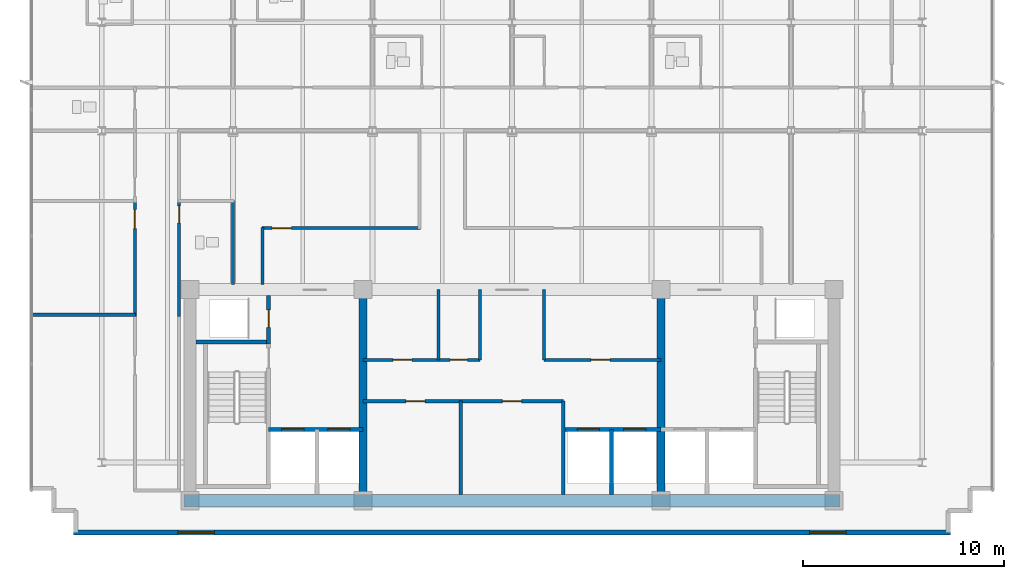
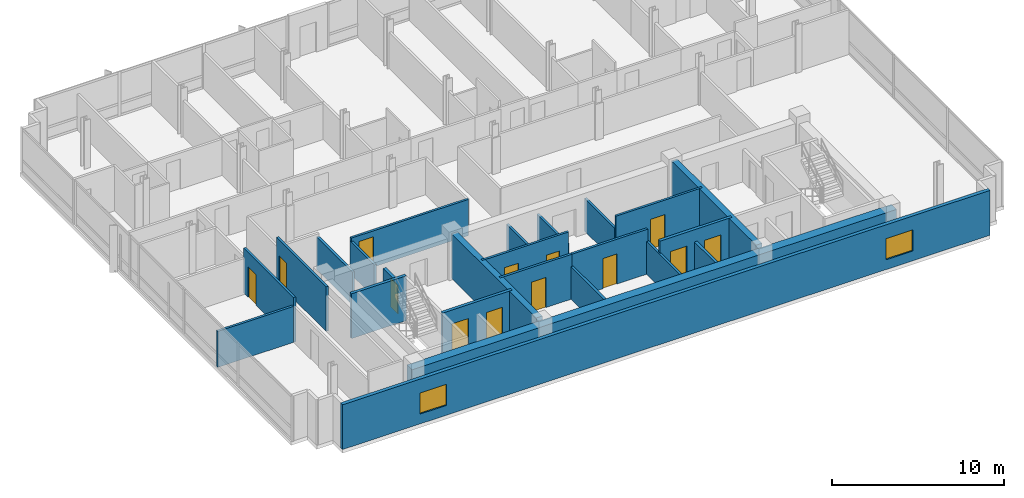
# One storey, part 8 of 14: 24 walls, 13 doors, 2 windows, 15 openings.
"""IFC4 building model written with IfcOpenShell, lengths in metres."""

from ifc_helpers import new_model, si_unit, direction, frame, frame_2d, origin, place, context, subcontext, project, spatial, rectangle, extrude, material, layer, layer_set, type_object, element, fill, save


model = new_model("IFC4")

# Units and contexts
model_context = context("Model", 3, precision=1e-05, world=origin(), true_north=direction((0.0, 1.0)))
body_context = subcontext(model_context, "Body", "Model", "MODEL_VIEW")
ifc_project = project(units=[si_unit("LENGTHUNIT", "METRE"), si_unit("AREAUNIT", "SQUARE_METRE"), si_unit("VOLUMEUNIT", "CUBIC_METRE"), si_unit("PLANEANGLEUNIT", "RADIAN"), si_unit("MASSUNIT", "GRAM", prefix="KILO")], contexts=[model_context])

# Site, building, storey
site_placement = place(None, origin())
site = spatial("IfcSite", under=ifc_project, at=site_placement, CompositionType="ELEMENT")
building_placement = place(site_placement, origin())
building = spatial("IfcBuilding", under=site, at=building_placement, Name="Solmavex Isthmus Hotel", CompositionType="ELEMENT")
storey_placement = place(building_placement, frame((0.0, 0.0, 252.300048828125)))
storey = spatial("IfcBuildingStorey", under=building, at=storey_placement, Name="L68", CompositionType="ELEMENT", Elevation=252.300048828125)

# Wall, openings, windows
ifc_material_1 = material(Name="Precast Concrete C40/50", Category="concrete")
ifc_layer_1 = layer(ifc_material_1, 0.25)
ifc_layer_set_1 = layer_set([ifc_layer_1], Name="Precast Concrete C40/50")
wall_type_1 = type_object("IfcWallType", Name="EW-TWR-250", PredefinedType="STANDARD", material=ifc_layer_set_1)
wall_1_placement = place(storey_placement, frame((-21.800048828125, -14.580078125, 0.0), z_axis=(0.0, 0.0, 1.0), x_axis=(1.0, 0.0, 0.0)))
wall_1 = element("IfcWall", 1, at=wall_1_placement, inside=storey, type_object=wall_type_1, Name="Tower Rear South Facade Wall L68", PredefinedType="STANDARD", context=body_context, shape_type="SweptSolid", body=[
    extrude(rectangle(XDim=43.60009765625, YDim=0.239990234375, at=frame_2d((21.800048828125, 0.0))), origin(), (0.0, 0.0, 1.0), 3.18994140625),
])
opening_1_placement = place(wall_1_placement, frame((5.2041015625, 0.0, 0.699951171875)))
opening_1 = element("IfcOpeningElement", 2, at=opening_1_placement, cuts=wall_1, Name="Opening WN-02", PredefinedType="OPENING", context=body_context, shape_type="SweptSolid", body=[
    extrude(rectangle(XDim=1.800048828125, YDim=1.5, at=frame_2d((0.89990234375, 0.75))), frame((0.0, 0.1298828125, 0.0), z_axis=(0.0, -1.0, 0.0), x_axis=(1.0, 0.0, 0.0)), (0.0, 0.0, 1.0), 0.260009765625),
])
opening_2_placement = place(wall_1_placement, frame((36.595947265625, 0.0, 0.699951171875)))
opening_2 = element("IfcOpeningElement", 3, at=opening_2_placement, cuts=wall_1, Name="Opening WN-02", PredefinedType="OPENING", context=body_context, shape_type="SweptSolid", body=[
    extrude(rectangle(XDim=1.800048828125, YDim=1.5, at=frame_2d((0.89990234375, 0.75))), frame((0.0, 0.1298828125, 0.0), z_axis=(0.0, -1.0, 0.0), x_axis=(1.0, 0.0, 0.0)), (0.0, 0.0, 1.0), 0.260009765625),
])
ifc_material_2 = material(Name="Clear low-E laminated glass", Category="glass")
window_type = type_object("IfcWindowType", Name="WIN-TWR-1800", PartitioningType="SINGLE_PANEL", PredefinedType="WINDOW", material=ifc_material_2)
window_1_placement = place(opening_1_placement, origin())
window_1 = element("IfcWindow", 4, at=window_1_placement, inside=storey, type_object=window_type, Name="South Facade Vision Window L68-S1", OverallHeight=1.5, OverallWidth=1.800048828125, PartitioningType="SINGLE_PANEL", PredefinedType="WINDOW", context=body_context, shape_type="SweptSolid", body=[
    extrude(rectangle(XDim=1.800048828125, YDim=1.5, at=frame_2d((0.89990234375, 0.75))), frame((0.0, 0.030029296875, 0.0), z_axis=(0.0, -1.0, 0.0), x_axis=(1.0, 0.0, 0.0)), (0.0, 0.0, 1.0), 0.06005859375),
])
fill(opening_1, window_1)
window_2_placement = place(opening_2_placement, origin())
window_2 = element("IfcWindow", 5, at=window_2_placement, inside=storey, type_object=window_type, Name="South Facade Vision Window L68-S2", OverallHeight=1.5, OverallWidth=1.800048828125, PartitioningType="SINGLE_PANEL", PredefinedType="WINDOW", context=body_context, shape_type="SweptSolid", body=[
    extrude(rectangle(XDim=1.800048828125, YDim=1.5, at=frame_2d((0.89990234375, 0.75))), frame((0.0, 0.030029296875, 0.0), z_axis=(0.0, -1.0, 0.0), x_axis=(1.0, 0.0, 0.0)), (0.0, 0.0, 1.0), 0.06005859375),
])
fill(opening_2, window_2)

# Wall, opening, door
ifc_material_3 = material(Name="Gypsum plasterboard lining", Category="gypsum")
ifc_layer_2 = layer(ifc_material_3, 0.159912109375)
ifc_layer_set_2 = layer_set([ifc_layer_2], Name="Gypsum plasterboard lining")
wall_type_2 = type_object("IfcWallType", Name="IW-COMP-160", PredefinedType="PARTITIONING", material=ifc_layer_set_2)
wall_2_placement = place(storey_placement, frame((-7.39990234375, -8.050048828125, 0.0), z_axis=(0.0, 0.0, 1.0), x_axis=(1.0, 0.0, 0.0)))
wall_2 = element("IfcWall", 6, at=wall_2_placement, inside=storey, type_object=wall_type_2, Name="Interior Partition Wall W-L68-REC-PLL-N", PredefinedType="PARTITIONING", context=body_context, shape_type="SweptSolid", body=[
    extrude(rectangle(XDim=4.849853515625, YDim=0.159912109375, at=frame_2d((2.4248046875, 0.0))), origin(), (0.0, 0.0, 1.0), 3.18994140625),
])
opening_3_placement = place(wall_2_placement, frame((2.125, 0.0, 0.0)))
opening_3 = element("IfcOpeningElement", 7, at=opening_3_placement, cuts=wall_2, Name="Opening ID-C095", PredefinedType="OPENING", context=body_context, shape_type="SweptSolid", body=[
    extrude(rectangle(XDim=0.949951171875, YDim=2.14990234375, at=frame_2d((0.47509765625, 1.074951171875))), frame((0.0, 0.08984375, 0.0), z_axis=(0.0, -1.0, 0.0), x_axis=(1.0, 0.0, 0.0)), (0.0, 0.0, 1.0), 0.179931640625),
])
ifc_material_4 = material(Name="Hardwood timber", Category="wood")
door_type_1 = type_object("IfcDoorType", Name="IDR-FD60-0950", OperationType="NOTDEFINED", PredefinedType="DOOR", material=ifc_material_4)
door_1_placement = place(opening_3_placement, origin())
door_1 = element("IfcDoor", 8, at=door_1_placement, inside=storey, type_object=door_type_1, Name="Linen Reserve Door L68", OperationType="SINGLE_SWING_LEFT", OverallHeight=2.14990234375, OverallWidth=0.949951171875, PredefinedType="DOOR", context=body_context, shape_type="SweptSolid", body=[
    extrude(rectangle(XDim=0.949951171875, YDim=2.14990234375, at=frame_2d((0.47509765625, 1.074951171875))), frame((0.0, 0.02490234375, 0.0), z_axis=(0.0, -1.0, 0.0), x_axis=(1.0, 0.0, 0.0)), (0.0, 0.0, 1.0), 0.050048828125),
])
fill(opening_3, door_1)

# Wall
wall_3_placement = place(storey_placement, frame((-2.550048828125, -12.699951171875, 0.0), z_axis=(0.0, 0.0, 1.0), x_axis=(0.0, 1.0, 0.0)))
element("IfcWall", 9, at=wall_3_placement, inside=storey, type_object=wall_type_2, Name="Interior Partition Wall W-L68-REC-PLL-E", PredefinedType="PARTITIONING", context=body_context, shape_type="SweptSolid", body=[
    extrude(rectangle(XDim=4.64990234375, YDim=0.159912109375, at=frame_2d((2.324951171875, 0.0))), origin(), (0.0, 0.0, 1.0), 2.324951171875),
])

# Wall, opening, door
wall_4_placement = place(storey_placement, frame((-2.550048828125, -8.050048828125, 0.0), z_axis=(0.0, 0.0, 1.0), x_axis=(1.0, 0.0, 0.0)))
wall_4 = element("IfcWall", 10, at=wall_4_placement, inside=storey, type_object=wall_type_2, Name="Interior Partition Wall W-L68-REC-PLM-N", PredefinedType="PARTITIONING", context=body_context, shape_type="SweptSolid", body=[
    extrude(rectangle(XDim=5.10009765625, YDim=0.159912109375, at=frame_2d((2.550048828125, 0.0))), origin(), (0.0, 0.0, 1.0), 3.18994140625),
])
opening_4_placement = place(wall_4_placement, frame((2.074951171875, 0.0, 0.0)))
opening_4 = element("IfcOpeningElement", 11, at=opening_4_placement, cuts=wall_4, Name="Opening ID-C095", PredefinedType="OPENING", context=body_context, shape_type="SweptSolid", body=[
    extrude(rectangle(XDim=0.949951171875, YDim=2.14990234375, at=frame_2d((0.47509765625, 1.074951171875))), frame((0.0, 0.08984375, 0.0), z_axis=(0.0, -1.0, 0.0), x_axis=(1.0, 0.0, 0.0)), (0.0, 0.0, 1.0), 0.179931640625),
])
door_2_placement = place(opening_4_placement, origin())
door_2 = element("IfcDoor", 12, at=door_2_placement, inside=storey, type_object=door_type_1, Name="Butler Store Door L68", OperationType="SINGLE_SWING_RIGHT", OverallHeight=2.14990234375, OverallWidth=0.949951171875, PredefinedType="DOOR", context=body_context, shape_type="SweptSolid", body=[
    extrude(rectangle(XDim=0.949951171875, YDim=2.14990234375, at=frame_2d((0.47509765625, 1.074951171875))), frame((0.0, 0.02490234375, 0.0), z_axis=(0.0, -1.0, 0.0), x_axis=(1.0, 0.0, 0.0)), (0.0, 0.0, 1.0), 0.050048828125),
])
fill(opening_4, door_2)

# Walls
wall_5_placement = place(storey_placement, frame((2.550048828125, -12.699951171875, 0.0), z_axis=(0.0, 0.0, 1.0), x_axis=(0.0, 1.0, 0.0)))
element("IfcWall", 13, at=wall_5_placement, inside=storey, type_object=wall_type_2, Name="Interior Partition Wall W-L68-REC-PLM-E", PredefinedType="PARTITIONING", context=body_context, shape_type="SweptSolid", body=[
    extrude(rectangle(XDim=4.64990234375, YDim=0.159912109375, at=frame_2d((2.324951171875, 0.0))), origin(), (0.0, 0.0, 1.0), 2.324951171875),
])
wall_6_placement = place(storey_placement, frame((-13.8720703125, 1.93994140625, 0.0), z_axis=(0.0, 0.0, 1.0), x_axis=(0.0, -1.0, 0.0)))
element("IfcWall", 14, at=wall_6_placement, inside=storey, type_object=wall_type_2, Name="Interior Partition Wall W-L68-P090", PredefinedType="PARTITIONING", context=body_context, shape_type="SweptSolid", body=[
    extrude(rectangle(XDim=4.179931640625, YDim=0.159912109375, at=frame_2d((2.08984375, 0.0))), origin(), (0.0, 0.0, 1.0), 2.324951171875),
])
wall_7_placement = place(storey_placement, frame((-18.7099609375, -3.75, 0.0), z_axis=(0.0, 0.0, 1.0), x_axis=(-1.0, 0.0, 0.0)))
element("IfcWall", 15, at=wall_7_placement, inside=storey, type_object=wall_type_2, Name="Interior Partition Wall W-L68-P094", PredefinedType="PARTITIONING", context=body_context, shape_type="SweptSolid", body=[
    extrude(rectangle(XDim=5.2099609375, YDim=0.159912109375, at=frame_2d((2.60498046875, 0.0))), origin(), (0.0, 0.0, 1.0), 2.557373046875),
])

# Wall, openings, doors
ifc_layer_3 = layer(ifc_material_3, 0.14990234375)
ifc_layer_set_3 = layer_set([ifc_layer_3], Name="Gypsum plasterboard lining")
wall_type_3 = type_object("IfcWallType", Name="IW-CORR-150", PredefinedType="PARTITIONING", material=ifc_layer_set_3)
wall_8_placement = place(storey_placement, frame((-7.39990234375, -6.0, 0.0), z_axis=(0.0, 0.0, 1.0), x_axis=(1.0, 0.0, 0.0)))
wall_8 = element("IfcWall", 16, at=wall_8_placement, inside=storey, type_object=wall_type_3, Name="Interior Partition Wall W-L68-BOH-WS", PredefinedType="PARTITIONING", context=body_context, shape_type="SweptSolid", body=[
    extrude(rectangle(XDim=5.7998046875, YDim=0.14990234375, at=frame_2d((2.89990234375, 0.0))), origin(), (0.0, 0.0, 1.0), 3.18994140625),
])
opening_5_placement = place(wall_8_placement, frame((1.47509765625, 0.0, 0.0)))
opening_5 = element("IfcOpeningElement", 17, at=opening_5_placement, cuts=wall_8, Name="Opening ID-C095", PredefinedType="OPENING", context=body_context, shape_type="SweptSolid", body=[
    extrude(rectangle(XDim=0.949951171875, YDim=2.14990234375, at=frame_2d((0.47509765625, 1.074951171875))), frame((0.0, 0.0849609375, 0.0), z_axis=(0.0, -1.0, 0.0), x_axis=(1.0, 0.0, 0.0)), (0.0, 0.0, 1.0), 0.169921875),
])
opening_6_placement = place(wall_8_placement, frame((4.324951171875, 0.0, 0.0)))
opening_6 = element("IfcOpeningElement", 18, at=opening_6_placement, cuts=wall_8, Name="Opening ID-R085", PredefinedType="OPENING", context=body_context, shape_type="SweptSolid", body=[
    extrude(rectangle(XDim=0.85009765625, YDim=2.050048828125, at=frame_2d((0.425048828125, 1.02490234375))), frame((0.0, 0.0849609375, 0.0), z_axis=(0.0, -1.0, 0.0), x_axis=(1.0, 0.0, 0.0)), (0.0, 0.0, 1.0), 0.169921875),
])
ifc_material_5 = material(Name="Steel ASTM A500 Grade C", Category="steel")
door_type_2 = type_object("IfcDoorType", Name="IDR-FD60-0850", OperationType="NOTDEFINED", PredefinedType="DOOR", material=ifc_material_5)
door_3_placement = place(opening_6_placement, frame((0.85009765625, 0.0, 0.0), z_axis=(0.0, 0.0, 1.0), x_axis=(-1.0, 0.0, 0.0)))
door_3 = element("IfcDoor", 19, at=door_3_placement, inside=storey, type_object=door_type_2, Name="Cleaner Closet Door L68", OperationType="SINGLE_SWING_RIGHT", OverallHeight=2.050048828125, OverallWidth=0.85009765625, PredefinedType="DOOR", context=body_context, shape_type="SweptSolid", body=[
    extrude(rectangle(XDim=0.85009765625, YDim=2.050048828125, at=frame_2d((0.425048828125, 1.02490234375))), frame((0.0, 0.02490234375, 0.0), z_axis=(0.0, -1.0, 0.0), x_axis=(1.0, 0.0, 0.0)), (0.0, 0.0, 1.0), 0.050048828125),
])
fill(opening_6, door_3)
door_4_placement = place(opening_5_placement, frame((0.949951171875, 0.0, 0.0), z_axis=(0.0, 0.0, 1.0), x_axis=(-1.0, 0.0, 0.0)))
door_4 = element("IfcDoor", 20, at=door_4_placement, inside=storey, type_object=door_type_1, Name="Housekeeping Store Door L68", OperationType="SINGLE_SWING_LEFT", OverallHeight=2.14990234375, OverallWidth=0.949951171875, PredefinedType="DOOR", context=body_context, shape_type="SweptSolid", body=[
    extrude(rectangle(XDim=0.949951171875, YDim=2.14990234375, at=frame_2d((0.47509765625, 1.074951171875))), frame((0.0, 0.02490234375, 0.0), z_axis=(0.0, -1.0, 0.0), x_axis=(1.0, 0.0, 0.0)), (0.0, 0.0, 1.0), 0.050048828125),
])
fill(opening_5, door_4)

# Wall
wall_9_placement = place(storey_placement, frame((-1.60009765625, -6.0, 0.0), z_axis=(0.0, 0.0, 1.0), x_axis=(0.0, 1.0, 0.0)))
element("IfcWall", 21, at=wall_9_placement, inside=storey, type_object=wall_type_3, Name="Interior Partition Wall W-L68-BOH-WE", PredefinedType="PARTITIONING", context=body_context, shape_type="SweptSolid", body=[
    extrude(rectangle(XDim=3.5, YDim=0.14990234375, at=frame_2d((1.75, 0.0))), origin(), (0.0, 0.0, 1.0), 2.324951171875),
])

# Wall, opening, door
wall_10_placement = place(storey_placement, frame((1.60009765625, -6.0, 0.0), z_axis=(0.0, 0.0, 1.0), x_axis=(1.0, 0.0, 0.0)))
wall_10 = element("IfcWall", 22, at=wall_10_placement, inside=storey, type_object=wall_type_3, Name="Interior Partition Wall W-L68-BOH-ES", PredefinedType="PARTITIONING", context=body_context, shape_type="SweptSolid", body=[
    extrude(rectangle(XDim=5.7998046875, YDim=0.14990234375, at=frame_2d((2.89990234375, 0.0))), origin(), (0.0, 0.0, 1.0), 3.18994140625),
])
opening_7_placement = place(wall_10_placement, frame((2.324951171875, 0.0, 0.0)))
opening_7 = element("IfcOpeningElement", 23, at=opening_7_placement, cuts=wall_10, Name="Opening ID-C095", PredefinedType="OPENING", context=body_context, shape_type="SweptSolid", body=[
    extrude(rectangle(XDim=0.949951171875, YDim=2.14990234375, at=frame_2d((0.47509765625, 1.074951171875))), frame((0.0, 0.0849609375, 0.0), z_axis=(0.0, -1.0, 0.0), x_axis=(1.0, 0.0, 0.0)), (0.0, 0.0, 1.0), 0.169921875),
])
door_5_placement = place(opening_7_placement, frame((0.949951171875, 0.0, 0.0), z_axis=(0.0, 0.0, 1.0), x_axis=(-1.0, 0.0, 0.0)))
door_5 = element("IfcDoor", 24, at=door_5_placement, inside=storey, type_object=door_type_1, Name="Butler Pantry Door L68", OperationType="SINGLE_SWING_RIGHT", OverallHeight=2.14990234375, OverallWidth=0.949951171875, PredefinedType="DOOR", context=body_context, shape_type="SweptSolid", body=[
    extrude(rectangle(XDim=0.949951171875, YDim=2.14990234375, at=frame_2d((0.47509765625, 1.074951171875))), frame((0.0, 0.02490234375, 0.0), z_axis=(0.0, -1.0, 0.0), x_axis=(1.0, 0.0, 0.0)), (0.0, 0.0, 1.0), 0.050048828125),
])
fill(opening_7, door_5)

# Wall
wall_11_placement = place(storey_placement, frame((1.60009765625, -6.0, 0.0), z_axis=(0.0, 0.0, 1.0), x_axis=(0.0, 1.0, 0.0)))
element("IfcWall", 25, at=wall_11_placement, inside=storey, type_object=wall_type_3, Name="Interior Partition Wall W-L68-BOH-EW", PredefinedType="PARTITIONING", context=body_context, shape_type="SweptSolid", body=[
    extrude(rectangle(XDim=3.5, YDim=0.14990234375, at=frame_2d((1.75, 0.0))), origin(), (0.0, 0.0, 1.0), 2.324951171875),
])

# Wall, opening, door
wall_12_placement = place(storey_placement, frame((-16.550048828125, 1.98193359375, 0.0), z_axis=(0.0, 0.0, 1.0), x_axis=(0.0, -1.0, 0.0)))
wall_12 = element("IfcWall", 26, at=wall_12_placement, inside=storey, type_object=wall_type_3, Name="Interior Partition Wall W-L68-P012", PredefinedType="PARTITIONING", context=body_context, shape_type="SweptSolid", body=[
    extrude(rectangle(XDim=5.81396484375, YDim=0.14990234375, at=frame_2d((2.906982421875, 0.0))), origin(), (0.0, 0.0, 1.0), 3.18994140625),
])
opening_8_placement = place(wall_12_placement, frame((0.314453125, 0.0, 0.0)))
opening_8 = element("IfcOpeningElement", 27, at=opening_8_placement, cuts=wall_12, Name="Opening ID-R085", PredefinedType="OPENING", context=body_context, shape_type="SweptSolid", body=[
    extrude(rectangle(XDim=0.85009765625, YDim=2.050048828125, at=frame_2d((0.425048828125, 1.02490234375))), frame((0.0, 0.0849609375, 0.0), z_axis=(0.0, -1.0, 0.0), x_axis=(1.0, 0.0, 0.0)), (0.0, 0.0, 1.0), 0.169921875),
])
door_6_placement = place(opening_8_placement, frame((0.85009765625, 0.0, 0.0), z_axis=(0.0, 0.0, 1.0), x_axis=(-1.0, 0.0, 0.0)))
door_6 = element("IfcDoor", 28, at=door_6_placement, inside=storey, type_object=door_type_2, Name="Public Restroom WC Door L68-21", OperationType="SINGLE_SWING_LEFT", OverallHeight=2.050048828125, OverallWidth=0.85009765625, PredefinedType="DOOR", context=body_context, shape_type="SweptSolid", body=[
    extrude(rectangle(XDim=0.85009765625, YDim=2.050048828125, at=frame_2d((0.425048828125, 1.02490234375))), frame((0.0, 0.02490234375, 0.0), z_axis=(0.0, -1.0, 0.0), x_axis=(1.0, 0.0, 0.0)), (0.0, 0.0, 1.0), 0.050048828125),
])
fill(opening_8, door_6)

wall_13_placement = place(storey_placement, frame((-18.75, -3.83203125, 0.0), z_axis=(0.0, 0.0, 1.0), x_axis=(0.0, 1.0, 0.0)))
wall_13 = element("IfcWall", 29, at=wall_13_placement, inside=storey, type_object=wall_type_3, Name="Interior Partition Wall W-L68-P015", PredefinedType="PARTITIONING", context=body_context, shape_type="SweptSolid", body=[
    extrude(rectangle(XDim=5.81396484375, YDim=0.14990234375, at=frame_2d((2.906982421875, 0.0))), origin(), (0.0, 0.0, 1.0), 3.18994140625),
])
opening_9_placement = place(wall_13_placement, frame((4.358642578125, 0.0, 0.0)))
opening_9 = element("IfcOpeningElement", 30, at=opening_9_placement, cuts=wall_13, Name="Opening ID-C095", PredefinedType="OPENING", context=body_context, shape_type="SweptSolid", body=[
    extrude(rectangle(XDim=0.949951171875, YDim=2.14990234375, at=frame_2d((0.47509765625, 1.074951171875))), frame((0.0, 0.0849609375, 0.0), z_axis=(0.0, -1.0, 0.0), x_axis=(1.0, 0.0, 0.0)), (0.0, 0.0, 1.0), 0.169921875),
])
door_7_placement = place(opening_9_placement, origin())
door_7 = element("IfcDoor", 31, at=door_7_placement, inside=storey, type_object=door_type_1, Name="Finishing Kitchen Door L68-24", OperationType="SINGLE_SWING_RIGHT", OverallHeight=2.14990234375, OverallWidth=0.949951171875, PredefinedType="DOOR", context=body_context, shape_type="SweptSolid", body=[
    extrude(rectangle(XDim=0.949951171875, YDim=2.14990234375, at=frame_2d((0.47509765625, 1.074951171875))), frame((0.0, 0.02490234375, 0.0), z_axis=(0.0, -1.0, 0.0), x_axis=(1.0, 0.0, 0.0)), (0.0, 0.0, 1.0), 0.050048828125),
])
fill(opening_9, door_7)

# Wall
wall_14_placement = place(storey_placement, frame((-12.39990234375, -2.239990234375, 0.0), z_axis=(0.0, 0.0, 1.0), x_axis=(0.0, 1.0, 0.0)))
element("IfcWall", 32, at=wall_14_placement, inside=storey, type_object=wall_type_3, Name="Interior Partition Wall W-L68-P016", PredefinedType="PARTITIONING", context=body_context, shape_type="SweptSolid", body=[
    extrude(rectangle(XDim=2.830078125, YDim=0.14990234375, at=frame_2d((1.4150390625, 0.0))), origin(), (0.0, 0.0, 1.0), 2.324951171875),
])

# Wall, opening, door
wall_15_placement = place(storey_placement, frame((-12.43994140625, 0.550048828125, 0.0), z_axis=(0.0, 0.0, 1.0), x_axis=(1.0, 0.0, 0.0)))
wall_15 = element("IfcWall", 33, at=wall_15_placement, inside=storey, type_object=wall_type_3, Name="Interior Partition Wall W-L68-P017", PredefinedType="PARTITIONING", context=body_context, shape_type="SweptSolid", body=[
    extrude(rectangle(XDim=7.891845703125, YDim=0.14990234375, at=frame_2d((3.94580078125, 0.0))), origin(), (0.0, 0.0, 1.0), 2.572265625),
])
opening_10_placement = place(wall_15_placement, frame((0.51806640625, 0.0, 0.0)))
opening_10 = element("IfcOpeningElement", 34, at=opening_10_placement, cuts=wall_15, Name="Opening ID-C095", PredefinedType="OPENING", context=body_context, shape_type="SweptSolid", body=[
    extrude(rectangle(XDim=0.949951171875, YDim=2.14990234375, at=frame_2d((0.47509765625, 1.074951171875))), frame((0.0, 0.0849609375, 0.0), z_axis=(0.0, -1.0, 0.0), x_axis=(1.0, 0.0, 0.0)), (0.0, 0.0, 1.0), 0.169921875),
])
door_8_placement = place(opening_10_placement, origin())
door_8 = element("IfcDoor", 35, at=door_8_placement, inside=storey, type_object=door_type_1, Name="Reading Library Door L68-25", OperationType="SINGLE_SWING_LEFT", OverallHeight=2.14990234375, OverallWidth=0.949951171875, PredefinedType="DOOR", context=body_context, shape_type="SweptSolid", body=[
    extrude(rectangle(XDim=0.949951171875, YDim=2.14990234375, at=frame_2d((0.47509765625, 1.074951171875))), frame((0.0, 0.02490234375, 0.0), z_axis=(0.0, -1.0, 0.0), x_axis=(1.0, 0.0, 0.0)), (0.0, 0.0, 1.0), 0.050048828125),
])
fill(opening_10, door_8)

# Walls
ifc_layer_4 = layer(ifc_material_3, 0.1201171875)
ifc_layer_set_4 = layer_set([ifc_layer_4], Name="Gypsum plasterboard lining")
wall_type_4 = type_object("IfcWallType", Name="IW-PART-120", PredefinedType="PARTITIONING", material=ifc_layer_set_4)
wall_16_placement = place(storey_placement, frame((-3.64990234375, -6.0, 0.0), z_axis=(0.0, 0.0, 1.0), x_axis=(0.0, 1.0, 0.0)))
element("IfcWall", 36, at=wall_16_placement, inside=storey, type_object=wall_type_4, Name="Interior Partition Wall W-L68-BOH-WM1", PredefinedType="PARTITIONING", context=body_context, shape_type="SweptSolid", body=[
    extrude(rectangle(XDim=3.5, YDim=0.14990234375, at=frame_2d((1.75, 0.0))), origin(), (0.0, 0.0, 1.0), 2.324951171875),
])
ifc_material_6 = material(Name="Concrete C40/50", Category="concrete")
ifc_layer_5 = layer(ifc_material_6, 0.179931640625)
ifc_layer_set_5 = layer_set([ifc_layer_5], Name="Concrete C40/50")
wall_type_5 = type_object("IfcWallType", Name="IW-SHAFT-180", PredefinedType="PARTITIONING", material=ifc_layer_set_5)
wall_17_placement = place(storey_placement, frame((4.949951171875, -12.699951171875, 0.0), z_axis=(0.0, 0.0, 1.0), x_axis=(0.0, 1.0, 0.0)))
element("IfcWall", 37, at=wall_17_placement, inside=storey, type_object=wall_type_5, Name="Interior Partition Wall W-L68-SH-PLH-M", PredefinedType="PARTITIONING", context=body_context, shape_type="SweptSolid", body=[
    extrude(rectangle(XDim=3.25, YDim=0.179931640625, at=frame_2d((1.625, 0.0))), origin(), (0.0, 0.0, 1.0), 2.324951171875),
])

# Wall, opening, door
ifc_layer_6 = layer(ifc_material_6, 0.199951171875)
ifc_layer_set_6 = layer_set([ifc_layer_6], Name="Concrete C40/50")
wall_type_6 = type_object("IfcWallType", Name="IW-SHAFT-200", PredefinedType="PARTITIONING", material=ifc_layer_set_6)
wall_18_placement = place(storey_placement, frame((-12.10009765625, -5.199951171875, 0.0), z_axis=(0.0, 0.0, 1.0), x_axis=(0.0, 1.0, 0.0)))
wall_18 = element("IfcWall", 38, at=wall_18_placement, inside=storey, type_object=wall_type_6, Name="Interior Partition Wall W-L68-RSW-E", PredefinedType="PARTITIONING", context=body_context, shape_type="SweptSolid", body=[
    extrude(rectangle(XDim=2.39990234375, YDim=0.199951171875, at=frame_2d((1.199951171875, 0.0))), origin(), (0.0, 0.0, 1.0), 2.324951171875),
])
opening_11_placement = place(wall_18_placement, frame((0.824951171875, 0.0, 0.0)))
opening_11 = element("IfcOpeningElement", 39, at=opening_11_placement, cuts=wall_18, Name="Opening ID-R085", PredefinedType="OPENING", context=body_context, shape_type="SweptSolid", body=[
    extrude(rectangle(XDim=0.85009765625, YDim=2.050048828125, at=frame_2d((0.425048828125, 1.02490234375))), frame((0.0, 0.10986328125, 0.0), z_axis=(0.0, -1.0, 0.0), x_axis=(1.0, 0.0, 0.0)), (0.0, 0.0, 1.0), 0.219970703125),
])
door_9_placement = place(opening_11_placement, origin())
door_9 = element("IfcDoor", 40, at=door_9_placement, inside=storey, type_object=door_type_2, Name="Electrical Riser Door L68", OperationType="SINGLE_SWING_RIGHT", OverallHeight=2.050048828125, OverallWidth=0.85009765625, PredefinedType="DOOR", context=body_context, shape_type="SweptSolid", body=[
    extrude(rectangle(XDim=0.85009765625, YDim=2.050048828125, at=frame_2d((0.425048828125, 1.02490234375))), frame((0.0, 0.02490234375, 0.0), z_axis=(0.0, -1.0, 0.0), x_axis=(1.0, 0.0, 0.0)), (0.0, 0.0, 1.0), 0.050048828125),
])
fill(opening_11, door_9)

# Wall, openings, doors
wall_19_placement = place(storey_placement, frame((-12.10009765625, -9.449951171875, 0.0), z_axis=(0.0, 0.0, 1.0), x_axis=(1.0, 0.0, 0.0)))
wall_19 = element("IfcWall", 41, at=wall_19_placement, inside=storey, type_object=wall_type_6, Name="Interior Partition Wall W-L68-FFLW-S", PredefinedType="PARTITIONING", context=body_context, shape_type="SweptSolid", body=[
    extrude(rectangle(XDim=4.7001953125, YDim=0.199951171875, at=frame_2d((2.35009765625, 0.0))), origin(), (0.0, 0.0, 1.0), 3.18994140625),
])
opening_12_placement = place(wall_19_placement, frame((0.64990234375, 0.0, 0.0)))
opening_12 = element("IfcOpeningElement", 42, at=opening_12_placement, cuts=wall_19, Name="Opening LD-FF", PredefinedType="OPENING", context=body_context, shape_type="SweptSolid", body=[
    extrude(rectangle(XDim=1.10009765625, YDim=2.199951171875, at=frame_2d((0.550048828125, 1.10009765625))), frame((0.0, 0.10986328125, 0.0), z_axis=(0.0, -1.0, 0.0), x_axis=(1.0, 0.0, 0.0)), (0.0, 0.0, 1.0), 0.219970703125),
])
opening_13_placement = place(wall_19_placement, frame((2.949951171875, 0.0, 0.0)))
opening_13 = element("IfcOpeningElement", 43, at=opening_13_placement, cuts=wall_19, Name="Opening LD-SV", PredefinedType="OPENING", context=body_context, shape_type="SweptSolid", body=[
    extrude(rectangle(XDim=1.10009765625, YDim=2.199951171875, at=frame_2d((0.550048828125, 1.10009765625))), frame((0.0, 0.10986328125, 0.0), z_axis=(0.0, -1.0, 0.0), x_axis=(1.0, 0.0, 0.0)), (0.0, 0.0, 1.0), 0.219970703125),
])
ifc_material_7 = material(Name="Stainless steel 316", Category="steel")
door_type_3 = type_object("IfcDoorType", Name="LDR-FF-1100", OperationType="NOTDEFINED", PredefinedType="DOOR", material=ifc_material_7)
door_10_placement = place(opening_12_placement, origin())
door_10 = element("IfcDoor", 44, at=door_10_placement, inside=storey, type_object=door_type_3, Name="Lift Landing Door FFL-1 L68", OperationType="SLIDING_TO_LEFT", OverallHeight=2.199951171875, OverallWidth=1.10009765625, PredefinedType="DOOR", context=body_context, shape_type="SweptSolid", body=[
    extrude(rectangle(XDim=1.10009765625, YDim=2.199951171875, at=frame_2d((0.550048828125, 1.10009765625))), frame((0.0, 0.02490234375, 0.0), z_axis=(0.0, -1.0, 0.0), x_axis=(1.0, 0.0, 0.0)), (0.0, 0.0, 1.0), 0.050048828125),
])
fill(opening_12, door_10)
door_type_4 = type_object("IfcDoorType", Name="LDR-SV-1100", OperationType="NOTDEFINED", PredefinedType="DOOR", material=ifc_material_7)
door_11_placement = place(opening_13_placement, origin())
door_11 = element("IfcDoor", 45, at=door_11_placement, inside=storey, type_object=door_type_4, Name="Lift Landing Door SVL-1 L68", OperationType="SLIDING_TO_RIGHT", OverallHeight=2.199951171875, OverallWidth=1.10009765625, PredefinedType="DOOR", context=body_context, shape_type="SweptSolid", body=[
    extrude(rectangle(XDim=1.10009765625, YDim=2.199951171875, at=frame_2d((0.550048828125, 1.10009765625))), frame((0.0, 0.02490234375, 0.0), z_axis=(0.0, -1.0, 0.0), x_axis=(1.0, 0.0, 0.0)), (0.0, 0.0, 1.0), 0.050048828125),
])
fill(opening_13, door_11)

wall_20_placement = place(storey_placement, frame((2.550048828125, -9.449951171875, 0.0), z_axis=(0.0, 0.0, 1.0), x_axis=(1.0, 0.0, 0.0)))
wall_20 = element("IfcWall", 46, at=wall_20_placement, inside=storey, type_object=wall_type_6, Name="Interior Partition Wall W-L68-SH-PLH", PredefinedType="PARTITIONING", context=body_context, shape_type="SweptSolid", body=[
    extrude(rectangle(XDim=4.849853515625, YDim=0.199951171875, at=frame_2d((2.4248046875, 0.0))), origin(), (0.0, 0.0, 1.0), 3.18994140625),
])
opening_14_placement = place(wall_20_placement, frame((0.699951171875, 0.0, 0.0)))
opening_14 = element("IfcOpeningElement", 47, at=opening_14_placement, cuts=wall_20, Name="Opening LD-PL", PredefinedType="OPENING", context=body_context, shape_type="SweptSolid", body=[
    extrude(rectangle(XDim=1.10009765625, YDim=2.199951171875, at=frame_2d((0.550048828125, 1.10009765625))), frame((0.0, 0.10986328125, 0.0), z_axis=(0.0, -1.0, 0.0), x_axis=(1.0, 0.0, 0.0)), (0.0, 0.0, 1.0), 0.219970703125),
])
opening_15_placement = place(wall_20_placement, frame((3.0, 0.0, 0.0)))
opening_15 = element("IfcOpeningElement", 48, at=opening_15_placement, cuts=wall_20, Name="Opening LD-PL", PredefinedType="OPENING", context=body_context, shape_type="SweptSolid", body=[
    extrude(rectangle(XDim=1.10009765625, YDim=2.199951171875, at=frame_2d((0.550048828125, 1.10009765625))), frame((0.0, 0.10986328125, 0.0), z_axis=(0.0, -1.0, 0.0), x_axis=(1.0, 0.0, 0.0)), (0.0, 0.0, 1.0), 0.219970703125),
])
door_type_5 = type_object("IfcDoorType", Name="LDR-PL-1100", OperationType="NOTDEFINED", PredefinedType="DOOR", material=ifc_material_7)
door_12_placement = place(opening_14_placement, origin())
door_12 = element("IfcDoor", 49, at=door_12_placement, inside=storey, type_object=door_type_5, Name="Lift Landing Door PLH1 L68", OperationType="SLIDING_TO_LEFT", OverallHeight=2.199951171875, OverallWidth=1.10009765625, PredefinedType="DOOR", context=body_context, shape_type="SweptSolid", body=[
    extrude(rectangle(XDim=1.10009765625, YDim=2.199951171875, at=frame_2d((0.550048828125, 1.10009765625))), frame((0.0, 0.02490234375, 0.0), z_axis=(0.0, -1.0, 0.0), x_axis=(1.0, 0.0, 0.0)), (0.0, 0.0, 1.0), 0.050048828125),
])
fill(opening_14, door_12)
door_13_placement = place(opening_15_placement, origin())
door_13 = element("IfcDoor", 50, at=door_13_placement, inside=storey, type_object=door_type_5, Name="Lift Landing Door PLH2 L68", OperationType="SLIDING_TO_LEFT", OverallHeight=2.199951171875, OverallWidth=1.10009765625, PredefinedType="DOOR", context=body_context, shape_type="SweptSolid", body=[
    extrude(rectangle(XDim=1.10009765625, YDim=2.199951171875, at=frame_2d((0.550048828125, 1.10009765625))), frame((0.0, 0.02490234375, 0.0), z_axis=(0.0, -1.0, 0.0), x_axis=(1.0, 0.0, 0.0)), (0.0, 0.0, 1.0), 0.050048828125),
])
fill(opening_15, door_13)

# Walls
ifc_material_8 = material(Name="Concrete C50/60", Category="concrete")
ifc_layer_7 = layer(ifc_material_8, 0.39990234375)
ifc_layer_set_7 = layer_set([ifc_layer_7], Name="Concrete C50/60")
wall_type_7 = type_object("IfcWallType", Name="WALL-CW-400H", PredefinedType="SHEAR", material=ifc_layer_set_7)
for number, where, z_axis, x_axis, name in (
    (51, (-7.39990234375, -12.699951171875, 0.0), (0.0, 0.0, 1.0), (0.0, 1.0, 0.0), "Core Cross Shear Wall C1 L68"),
    (52, (7.39990234375, -12.699951171875, 0.0), (0.0, 0.0, 1.0), (0.0, 1.0, 0.0), "Core Cross Shear Wall C2 L68"),
):
    element("IfcWall", number, at=place(storey_placement, frame(where, z_axis=z_axis, x_axis=x_axis)), inside=storey, type_object=wall_type_7, Name=name, PredefinedType="SHEAR", context=body_context, shape_type="SweptSolid", body=[
        extrude(rectangle(XDim=9.89990234375, YDim=0.39990234375, at=frame_2d((4.949951171875, 0.0))), origin(), (0.0, 0.0, 1.0), 3.18994140625),
    ])
ifc_layer_8 = layer(ifc_material_8, 0.60009765625)
ifc_layer_set_8 = layer_set([ifc_layer_8], Name="Concrete C50/60")
wall_type_8 = type_object("IfcWallType", Name="WALL-CW-600", PredefinedType="SHEAR", material=ifc_layer_set_8)
wall_21_placement = place(storey_placement, frame((-16.300048828125, -13.0, 0.0), z_axis=(0.0, 0.0, 1.0), x_axis=(1.0, 0.0, 0.0)))
element("IfcWall", 53, at=wall_21_placement, inside=storey, type_object=wall_type_8, Name="Core Shear Wall South L68", PredefinedType="SHEAR", context=body_context, shape_type="SweptSolid", body=[
    extrude(rectangle(XDim=32.60009765625, YDim=0.60009765625, at=frame_2d((16.300048828125, 0.0))), origin(), (0.0, 0.0, 1.0), 2.909912109375),
])
ifc_layer_9 = layer(ifc_material_6, 0.199951171875)
ifc_layer_set_9 = layer_set([ifc_layer_9], Name="Concrete C40/50")
wall_type_9 = type_object("IfcWallType", Name="WALL-SW-200", PredefinedType="SOLIDWALL", material=ifc_layer_set_9)
wall_22_placement = place(storey_placement, frame((-15.699951171875, -5.10009765625, 0.0), z_axis=(0.0, 0.0, 1.0), x_axis=(1.0, 0.0, 0.0)))
element("IfcWall", 54, at=wall_22_placement, inside=storey, type_object=wall_type_9, Name="Stairwell Structural Wall SW-L68-ST1-N", PredefinedType="SOLIDWALL", context=body_context, shape_type="SweptSolid", body=[
    extrude(rectangle(XDim=3.699951171875, YDim=0.199951171875, at=frame_2d((1.85009765625, 0.0))), origin(), (0.0, 0.0, 1.0), 3.18994140625),
])

save(model, "model.ifc")
